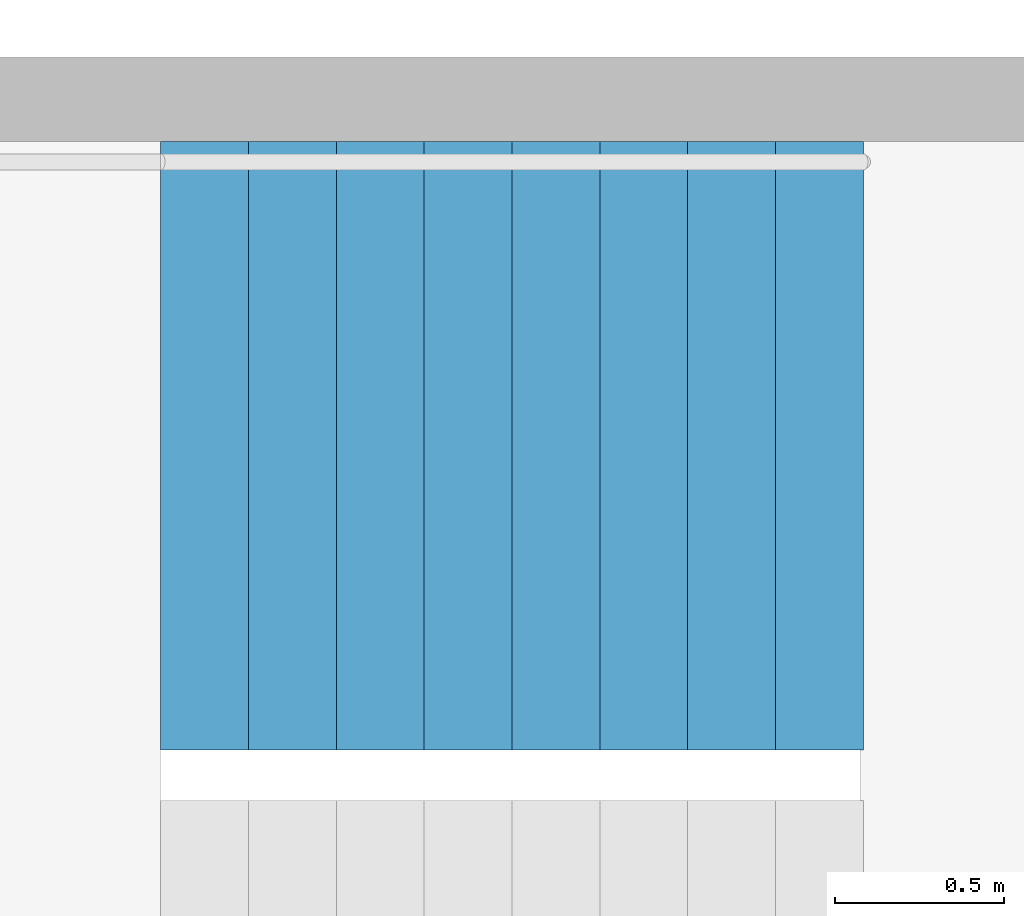
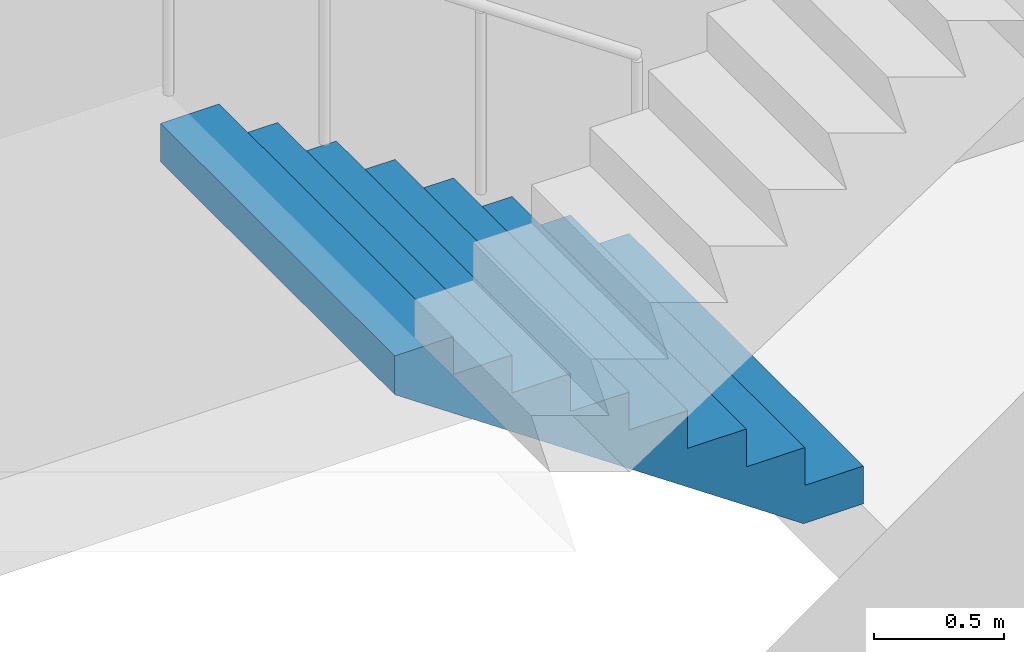
# One storey, part 19 of 26: 1 stair flight, 1 element without a shape of its own.
"""IFC4 building model written with IfcOpenShell, lengths in metres."""

import ifcopenshell
import ifcopenshell.guid

model = None  # the IFC model being written
_history = None  # IfcOwnerHistory: only IFC2X3 demands one
_inside = {}  # id of a spatial element -> (the spatial element, [elements in it])
_under = {}  # id of a project, library or spatial element -> (it, [spatial elements below it])
_declared = {}  # id of a project -> (the project, [libraries it declares])
_typed = {}  # id of a type object -> (the type object, [elements of that type])
_made_of = {}  # id of a material, layer set ... -> (it, [elements and type objects made of it])


def new_model(schema):
    """Start an empty IFC model of exactly this schema.

    Asked for "IFC4X3", IfcOpenShell would pick the latest addendum, in which some entities
    have other attributes; the version numbers below select the first issue.
    IFC2X3 requires an IfcOwnerHistory on every rooted entity: one is made here for all.
    """
    global model, _history
    if schema == "IFC4X3":
        model = ifcopenshell.file(schema_version=(4, 3, 0, 0))
    else:
        model = ifcopenshell.file(schema=schema)
    _inside.clear()
    _under.clear()
    _declared.clear()
    _typed.clear()
    _made_of.clear()
    _history = None
    if model.schema == "IFC2X3":
        org = make("IfcOrganization", Name="unknown")
        user = make(
            "IfcPersonAndOrganization",
            ThePerson=make("IfcPerson", FamilyName="unknown"),
            TheOrganization=org,
        )
        app = make(
            "IfcApplication",
            ApplicationDeveloper=org,
            Version="unknown",
            ApplicationFullName="unknown",
            ApplicationIdentifier="unknown",
        )
        _history = make(
            "IfcOwnerHistory",
            OwningUser=user,
            OwningApplication=app,
            ChangeAction="ADDED",
            CreationDate=0,
        )
    return model


def make(cls, **values):
    """One entity of the class cls with the attributes given. An attribute that is None is left unset."""
    return model.create_entity(
        cls, **{name: value for name, value in values.items() if value is not None}
    )


def rooted(cls, **values):
    """An entity with a GlobalId (a new one), such as an element, a storey or a relation."""
    return make(cls, GlobalId=ifcopenshell.guid.new(), OwnerHistory=_history, **values)


def si_unit(unit_type, name, prefix=None):
    """IfcSIUnit, for example si_unit("LENGTHUNIT", "METRE", prefix="MILLI")."""
    return make("IfcSIUnit", UnitType=unit_type, Prefix=prefix, Name=name)


def assignment(units):
    """IfcUnitAssignment: the units of a project."""
    return None if units is None else make("IfcUnitAssignment", Units=units)


def point(xyz):
    """IfcCartesianPoint."""
    return None if xyz is None else make("IfcCartesianPoint", Coordinates=xyz)


def direction(xyz):
    """IfcDirection."""
    return None if xyz is None else make("IfcDirection", DirectionRatios=xyz)


def frame(location, z_axis=None, x_axis=None):
    """IfcAxis2Placement3D, a coordinate frame: its origin and axes. An axis left out is left unset."""
    return make(
        "IfcAxis2Placement3D",
        Location=point(location),
        Axis=direction(z_axis),
        RefDirection=direction(x_axis),
    )


def origin():
    """The frame at (0, 0, 0) with its axes left unset."""
    return frame((0.0, 0.0, 0.0))


def place(relative_to, where):
    """IfcLocalPlacement: puts the frame where relative to a parent placement (None: the world)."""
    return make(
        "IfcLocalPlacement", PlacementRelTo=relative_to, RelativePlacement=where
    )


def context(
    kind, dimensions, precision=None, world=None, true_north=None, identifier=None
):
    """IfcGeometricRepresentationContext, for example the 3D "Model" context."""
    return make(
        "IfcGeometricRepresentationContext",
        ContextIdentifier=identifier,
        ContextType=kind,
        CoordinateSpaceDimension=dimensions,
        Precision=precision,
        WorldCoordinateSystem=world,
        TrueNorth=true_north,
    )


def subcontext(parent, identifier, kind, view, scale=None):
    """IfcGeometricRepresentationSubContext, for example "Body" below "Model"."""
    return make(
        "IfcGeometricRepresentationSubContext",
        ContextIdentifier=identifier,
        ContextType=kind,
        ParentContext=parent,
        TargetScale=scale,
        TargetView=view,
    )


def project(units=None, contexts=None):
    """IfcProject with its units and contexts."""
    return rooted(
        "IfcProject",
        Name="project",
        RepresentationContexts=contexts,
        UnitsInContext=assignment(units),
    )


def spatial(cls, under=None, at=None, **own):
    """A site, building, storey or space (cls), placed at a placement, below another one or the project."""
    s = rooted(cls, ObjectPlacement=at, **own)
    if under is not None:
        _under.setdefault(under.id(), (under, []))[1].append(s)
    return s


def point_list(points):
    """IfcCartesianPointList2D or 3D."""
    cls = (
        "IfcCartesianPointList2D" if len(points[0]) == 2 else "IfcCartesianPointList3D"
    )
    return make(cls, CoordList=points)


def triangles(points, corners, closed=None, point_numbers=None):
    """IfcTriangulatedFaceSet: each triangle names its three corners, points numbered from 1."""
    return make(
        "IfcTriangulatedFaceSet",
        Coordinates=point_list(points),
        Closed=closed,
        CoordIndex=corners,
        PnIndex=point_numbers,
    )


def shape(context_of_items, identifier, shape_type, items):
    """IfcShapeRepresentation: the items that make up one representation, for example the "Body"."""
    return make(
        "IfcShapeRepresentation",
        ContextOfItems=context_of_items,
        RepresentationIdentifier=identifier,
        RepresentationType=shape_type,
        Items=items,
    )


def material(Name=None, Category=None):
    """IfcMaterial."""
    return make("IfcMaterial", Name=Name, Category=Category)


def made_of(thing, what):
    """Note that an element or type object is made of a material, layer set ...; save() writes the relation."""
    if what is not None:
        _made_of.setdefault(what.id(), (what, []))[1].append(thing)
    return thing


def type_object(cls, material=None, **own):
    """A type object (cls), such as IfcWallType, which elements share."""
    return made_of(rooted(cls, **own), material)


def element(
    cls,
    number,
    at=None,
    inside=None,
    cuts=None,
    type_object=None,
    material=None,
    context=None,
    identifier="Body",
    shape_type=None,
    held_by="IfcProductDefinitionShape",
    body=None,
    shapes=None,
    **own,
):
    """One element of the class cls, such as IfcWall. Its Tag is "e" and its number.

    at: its placement. inside: the storey or other place that contains it. cuts: it is an
    opening in that element (IfcRelVoidsElement). A single representation is given by context,
    identifier, shape_type and body (its items); several are given by shapes. held_by: the class
    of the entity that holds the representations. save() writes the other relations.
    """
    e = rooted(cls, Tag="e%d" % number, ObjectPlacement=at, **own)
    if body is not None:
        shapes = [shape(context, identifier, shape_type, body)]
    if shapes is not None:
        e.Representation = make(held_by, Representations=shapes)
    if inside is not None:
        _inside.setdefault(inside.id(), (inside, []))[1].append(e)
    if cuts is not None:
        rooted(
            "IfcRelVoidsElement", RelatingBuildingElement=cuts, RelatedOpeningElement=e
        )
    if type_object is not None:
        _typed.setdefault(type_object.id(), (type_object, []))[1].append(e)
    return made_of(e, material)


def aggregate(whole, parts):
    """IfcRelAggregates: a whole, such as a stair, and the parts it consists of."""
    return rooted("IfcRelAggregates", RelatingObject=whole, RelatedObjects=parts)


def save(model, path):
    """Write the relations noted so far, then the file.

    IfcRelAggregates (storeys below a building ...), IfcRelContainedInSpatialStructure (elements
    in a storey), IfcRelDefinesByType, IfcRelAssociatesMaterial and IfcRelDeclares: one each for
    every whole, place, type object, material and project.
    """
    for whole, parts in _under.values():
        aggregate(whole, parts)
    for where, things in _inside.values():
        rooted(
            "IfcRelContainedInSpatialStructure",
            RelatedElements=things,
            RelatingStructure=where,
        )
    for kind, things in _typed.values():
        rooted("IfcRelDefinesByType", RelatedObjects=things, RelatingType=kind)
    for what, things in _made_of.values():
        rooted("IfcRelAssociatesMaterial", RelatedObjects=things, RelatingMaterial=what)
    for by, libraries in _declared.values():
        rooted("IfcRelDeclares", RelatingContext=by, RelatedDefinitions=libraries)
    model.write(path)


model = new_model("IFC4")

# Units and contexts
model_context = context("Model", 3, precision=1e-05, world=origin(), true_north=direction((0.0, 1.0)))
body_context = subcontext(model_context, "Body", "Model", "MODEL_VIEW")
ifc_project = project(units=[si_unit("LENGTHUNIT", "METRE"), si_unit("AREAUNIT", "SQUARE_METRE"), si_unit("VOLUMEUNIT", "CUBIC_METRE"), si_unit("PLANEANGLEUNIT", "RADIAN"), si_unit("MASSUNIT", "GRAM", prefix="KILO")], contexts=[model_context])

# Site, building, storey
site_placement = place(None, origin())
site = spatial("IfcSite", under=ifc_project, at=site_placement, CompositionType="ELEMENT")
building_placement = place(site_placement, origin())
building = spatial("IfcBuilding", under=site, at=building_placement, Name="Hakoniwa Tower and Hamabe Station Hall", CompositionType="ELEMENT")
storey_placement = place(building_placement, frame((0.0, 0.0, 169.39990234375)))
storey = spatial("IfcBuildingStorey", under=building, at=storey_placement, Name="L48", CompositionType="ELEMENT", Elevation=169.39990234375)

# Stair, stair flight
ifc_material_1 = material(Name="Concrete C40", Category="concrete")
stair_type = type_object("IfcStairType", Name="ESCAPE STAIR 1800", PredefinedType="HALF_TURN_STAIR", material=ifc_material_1)
stair_placement = place(storey_placement, origin())
stair = element("IfcStair", 1, at=stair_placement, inside=storey, type_object=stair_type, Name="Escape stair ST-2 L48", PredefinedType="HALF_TURN_STAIR")
ifc_material_2 = material(Name="Concrete C40", Category="concrete")
stair_flight_type = type_object("IfcStairFlightType", Name="STAIR FLIGHT 1800", PredefinedType="STRAIGHT", material=ifc_material_2)
stair_flight_placement = place(storey_placement, frame((-23.39990234375, -4.64990234375, 0.0), z_axis=(0.0, 0.0, 1.0), x_axis=(-1.0, 0.0, 0.0)))
stair_flight = element("IfcStairFlight", 2, at=stair_flight_placement, type_object=stair_flight_type, Name="ST-2 flight 1", NumberOfRisers=9, NumberOfTreads=8, PredefinedType="STRAIGHT", RiserHeight=0.177777778, TreadLength=0.26, context=body_context, shape_type="Tessellation", body=[
    triangles([(0.0, 0.89990234375, 0.0), (0.260009765625, 0.89990234375, 0.0), (0.265625, 0.89990234375, 0.0), (0.52001953125, 0.89990234375, 0.174072265625), (0.780029296875, 0.89990234375, 0.351806640625), (1.0400390625, 0.89990234375, 0.529541015625), (1.300048828125, 0.89990234375, 0.707275390625), (1.56005859375, 0.89990234375, 0.885009765625), (1.820068359375, 0.89990234375, 1.062744140625), (2.080078125, 0.89990234375, 1.24072265625), (2.080078125, 0.89990234375, 1.422119140625), (1.820068359375, 0.89990234375, 1.422119140625), (1.820068359375, 0.89990234375, 1.244384765625), (1.56005859375, 0.89990234375, 1.244384765625), (1.56005859375, 0.89990234375, 1.066650390625), (1.300048828125, 0.89990234375, 1.066650390625), (1.300048828125, 0.89990234375, 0.888916015625), (1.0400390625, 0.89990234375, 0.888916015625), (1.0400390625, 0.89990234375, 0.711181640625), (0.780029296875, 0.89990234375, 0.711181640625), (0.780029296875, 0.89990234375, 0.533447265625), (0.52001953125, 0.89990234375, 0.533447265625), (0.52001953125, 0.89990234375, 0.35546875), (0.265625, 0.89990234375, 0.35546875), (0.260009765625, 0.89990234375, 0.35546875), (0.260009765625, 0.89990234375, 0.177734375), (0.0, 0.89990234375, 0.177734375), (0.0, 0.06005859375, 0.0), (0.260009765625, 0.06005859375, 0.0), (0.265625, 0.06005859375, 0.0), (0.52001953125, 0.06005859375, 0.174072265625), (0.780029296875, 0.06005859375, 0.351806640625), (1.0400390625, 0.06005859375, 0.529541015625), (1.300048828125, 0.06005859375, 0.707275390625), (1.56005859375, 0.06005859375, 0.885009765625), (1.820068359375, 0.06005859375, 1.062744140625), (2.080078125, 0.06005859375, 1.24072265625), (2.080078125, 0.06005859375, 1.422119140625), (1.820068359375, 0.06005859375, 1.422119140625), (1.820068359375, 0.06005859375, 1.244384765625), (1.56005859375, 0.06005859375, 1.244384765625), (1.56005859375, 0.06005859375, 1.066650390625), (1.300048828125, 0.06005859375, 1.066650390625), (1.300048828125, 0.06005859375, 0.888916015625), (1.0400390625, 0.06005859375, 0.888916015625), (1.0400390625, 0.06005859375, 0.711181640625), (0.780029296875, 0.06005859375, 0.711181640625), (0.780029296875, 0.06005859375, 0.533447265625), (0.52001953125, 0.06005859375, 0.533447265625), (0.52001953125, 0.06005859375, 0.35546875), (0.265625, 0.06005859375, 0.35546875), (0.260009765625, 0.06005859375, 0.35546875), (0.260009765625, 0.06005859375, 0.177734375), (0.0, 0.06005859375, 0.177734375), (0.0, 0.04296875, 0.0), (0.260009765625, 0.04296875, 0.0), (0.265625, 0.04296875, 0.0), (0.52001953125, 0.04296875, 0.174072265625), (0.780029296875, 0.04296875, 0.351806640625), (1.0400390625, 0.04296875, 0.529541015625), (1.300048828125, 0.04296875, 0.707275390625), (1.56005859375, 0.04296875, 0.885009765625), (1.820068359375, 0.04296875, 1.062744140625), (2.080078125, 0.04296875, 1.24072265625), (2.080078125, 0.04296875, 1.422119140625), (1.820068359375, 0.04296875, 1.422119140625), (1.820068359375, 0.04296875, 1.244384765625), (1.56005859375, 0.04296875, 1.244384765625), (1.56005859375, 0.04296875, 1.066650390625), (1.300048828125, 0.04296875, 1.066650390625), (1.300048828125, 0.04296875, 0.888916015625), (1.0400390625, 0.04296875, 0.888916015625), (1.0400390625, 0.04296875, 0.711181640625), (0.780029296875, 0.04296875, 0.711181640625), (0.780029296875, 0.04296875, 0.533447265625), (0.52001953125, 0.04296875, 0.533447265625), (0.52001953125, 0.04296875, 0.35546875), (0.265625, 0.04296875, 0.35546875), (0.260009765625, 0.04296875, 0.35546875), (0.260009765625, 0.04296875, 0.177734375), (0.0, 0.04296875, 0.177734375), (0.0, 0.025634765625, 0.0), (0.260009765625, 0.025634765625, 0.0), (0.265625, 0.025634765625, 0.0), (0.52001953125, 0.025634765625, 0.174072265625), (0.780029296875, 0.025634765625, 0.351806640625), (1.0400390625, 0.025634765625, 0.529541015625), (1.300048828125, 0.025634765625, 0.707275390625), (1.56005859375, 0.025634765625, 0.885009765625), (1.820068359375, 0.025634765625, 1.062744140625), (2.080078125, 0.025634765625, 1.24072265625), (2.080078125, 0.025634765625, 1.422119140625), (1.820068359375, 0.025634765625, 1.422119140625), (1.820068359375, 0.025634765625, 1.244384765625), (1.56005859375, 0.025634765625, 1.244384765625), (1.56005859375, 0.025634765625, 1.066650390625), (1.300048828125, 0.025634765625, 1.066650390625), (1.300048828125, 0.025634765625, 0.888916015625), (1.0400390625, 0.025634765625, 0.888916015625), (1.0400390625, 0.025634765625, 0.711181640625), (0.780029296875, 0.025634765625, 0.711181640625), (0.780029296875, 0.025634765625, 0.533447265625), (0.52001953125, 0.025634765625, 0.533447265625), (0.52001953125, 0.025634765625, 0.35546875), (0.265625, 0.025634765625, 0.35546875), (0.260009765625, 0.025634765625, 0.35546875), (0.260009765625, 0.025634765625, 0.177734375), (0.0, 0.025634765625, 0.177734375), (0.0, 0.008544921875, 0.0), (0.260009765625, 0.008544921875, 0.0), (0.265625, 0.008544921875, 0.0), (0.52001953125, 0.008544921875, 0.174072265625), (0.780029296875, 0.008544921875, 0.351806640625), (1.0400390625, 0.008544921875, 0.529541015625), (1.300048828125, 0.008544921875, 0.707275390625), (1.56005859375, 0.008544921875, 0.885009765625), (1.820068359375, 0.008544921875, 1.062744140625), (2.080078125, 0.008544921875, 1.24072265625), (2.080078125, 0.008544921875, 1.422119140625), (1.820068359375, 0.008544921875, 1.422119140625), (1.820068359375, 0.008544921875, 1.244384765625), (1.56005859375, 0.008544921875, 1.244384765625), (1.56005859375, 0.008544921875, 1.066650390625), (1.300048828125, 0.008544921875, 1.066650390625), (1.300048828125, 0.008544921875, 0.888916015625), (1.0400390625, 0.008544921875, 0.888916015625), (1.0400390625, 0.008544921875, 0.711181640625), (0.780029296875, 0.008544921875, 0.711181640625), (0.780029296875, 0.008544921875, 0.533447265625), (0.52001953125, 0.008544921875, 0.533447265625), (0.52001953125, 0.008544921875, 0.35546875), (0.265625, 0.008544921875, 0.35546875), (0.260009765625, 0.008544921875, 0.35546875), (0.260009765625, 0.008544921875, 0.177734375), (0.0, 0.008544921875, 0.177734375), (0.0, -0.008544921875, 0.0), (0.260009765625, -0.008544921875, 0.0), (0.265625, -0.008544921875, 0.0), (0.52001953125, -0.008544921875, 0.174072265625), (0.780029296875, -0.008544921875, 0.351806640625), (1.0400390625, -0.008544921875, 0.529541015625), (1.300048828125, -0.008544921875, 0.707275390625), (1.56005859375, -0.008544921875, 0.885009765625), (1.820068359375, -0.008544921875, 1.062744140625), (2.080078125, -0.008544921875, 1.24072265625), (2.080078125, -0.008544921875, 1.422119140625), (1.820068359375, -0.008544921875, 1.422119140625), (1.820068359375, -0.008544921875, 1.244384765625), (1.56005859375, -0.008544921875, 1.244384765625), (1.56005859375, -0.008544921875, 1.066650390625), (1.300048828125, -0.008544921875, 1.066650390625), (1.300048828125, -0.008544921875, 0.888916015625), (1.0400390625, -0.008544921875, 0.888916015625), (1.0400390625, -0.008544921875, 0.711181640625), (0.780029296875, -0.008544921875, 0.711181640625), (0.780029296875, -0.008544921875, 0.533447265625), (0.52001953125, -0.008544921875, 0.533447265625), (0.52001953125, -0.008544921875, 0.35546875), (0.265625, -0.008544921875, 0.35546875), (0.260009765625, -0.008544921875, 0.35546875), (0.260009765625, -0.008544921875, 0.177734375), (0.0, -0.008544921875, 0.177734375), (0.0, -0.025634765625, 0.0), (0.260009765625, -0.025634765625, 0.0), (0.265625, -0.025634765625, 0.0), (0.52001953125, -0.025634765625, 0.174072265625), (0.780029296875, -0.025634765625, 0.351806640625), (1.0400390625, -0.025634765625, 0.529541015625), (1.300048828125, -0.025634765625, 0.707275390625), (1.56005859375, -0.025634765625, 0.885009765625), (1.820068359375, -0.025634765625, 1.062744140625), (2.080078125, -0.025634765625, 1.24072265625), (2.080078125, -0.025634765625, 1.422119140625), (1.820068359375, -0.025634765625, 1.422119140625), (1.820068359375, -0.025634765625, 1.244384765625), (1.56005859375, -0.025634765625, 1.244384765625), (1.56005859375, -0.025634765625, 1.066650390625), (1.300048828125, -0.025634765625, 1.066650390625), (1.300048828125, -0.025634765625, 0.888916015625), (1.0400390625, -0.025634765625, 0.888916015625), (1.0400390625, -0.025634765625, 0.711181640625), (0.780029296875, -0.025634765625, 0.711181640625), (0.780029296875, -0.025634765625, 0.533447265625), (0.52001953125, -0.025634765625, 0.533447265625), (0.52001953125, -0.025634765625, 0.35546875), (0.265625, -0.025634765625, 0.35546875), (0.260009765625, -0.025634765625, 0.35546875), (0.260009765625, -0.025634765625, 0.177734375), (0.0, -0.025634765625, 0.177734375), (0.0, -0.04296875, 0.0), (0.260009765625, -0.04296875, 0.0), (0.265625, -0.04296875, 0.0), (0.52001953125, -0.04296875, 0.174072265625), (0.780029296875, -0.04296875, 0.351806640625), (1.0400390625, -0.04296875, 0.529541015625), (1.300048828125, -0.04296875, 0.707275390625), (1.56005859375, -0.04296875, 0.885009765625), (1.820068359375, -0.04296875, 1.062744140625), (2.080078125, -0.04296875, 1.24072265625), (2.080078125, -0.04296875, 1.422119140625), (1.820068359375, -0.04296875, 1.422119140625), (1.820068359375, -0.04296875, 1.244384765625), (1.56005859375, -0.04296875, 1.244384765625), (1.56005859375, -0.04296875, 1.066650390625), (1.300048828125, -0.04296875, 1.066650390625), (1.300048828125, -0.04296875, 0.888916015625), (1.0400390625, -0.04296875, 0.888916015625), (1.0400390625, -0.04296875, 0.711181640625), (0.780029296875, -0.04296875, 0.711181640625), (0.780029296875, -0.04296875, 0.533447265625), (0.52001953125, -0.04296875, 0.533447265625), (0.52001953125, -0.04296875, 0.35546875), (0.265625, -0.04296875, 0.35546875), (0.260009765625, -0.04296875, 0.35546875), (0.260009765625, -0.04296875, 0.177734375), (0.0, -0.04296875, 0.177734375), (0.0, -0.06005859375, 0.0), (0.260009765625, -0.06005859375, 0.0), (0.265625, -0.06005859375, 0.0), (0.52001953125, -0.06005859375, 0.174072265625), (0.780029296875, -0.06005859375, 0.351806640625), (1.0400390625, -0.06005859375, 0.529541015625), (1.300048828125, -0.06005859375, 0.707275390625), (1.56005859375, -0.06005859375, 0.885009765625), (1.820068359375, -0.06005859375, 1.062744140625), (2.080078125, -0.06005859375, 1.24072265625), (2.080078125, -0.06005859375, 1.422119140625), (1.820068359375, -0.06005859375, 1.422119140625), (1.820068359375, -0.06005859375, 1.244384765625), (1.56005859375, -0.06005859375, 1.244384765625), (1.56005859375, -0.06005859375, 1.066650390625), (1.300048828125, -0.06005859375, 1.066650390625), (1.300048828125, -0.06005859375, 0.888916015625), (1.0400390625, -0.06005859375, 0.888916015625), (1.0400390625, -0.06005859375, 0.711181640625), (0.780029296875, -0.06005859375, 0.711181640625), (0.780029296875, -0.06005859375, 0.533447265625), (0.52001953125, -0.06005859375, 0.533447265625), (0.52001953125, -0.06005859375, 0.35546875), (0.265625, -0.06005859375, 0.35546875), (0.260009765625, -0.06005859375, 0.35546875), (0.260009765625, -0.06005859375, 0.177734375), (0.0, -0.06005859375, 0.177734375), (0.0, -0.89990234375, 0.0), (0.260009765625, -0.89990234375, 0.0), (0.265625, -0.89990234375, 0.0), (0.52001953125, -0.89990234375, 0.174072265625), (0.780029296875, -0.89990234375, 0.351806640625), (1.0400390625, -0.89990234375, 0.529541015625), (1.300048828125, -0.89990234375, 0.707275390625), (1.56005859375, -0.89990234375, 0.885009765625), (1.820068359375, -0.89990234375, 1.062744140625), (2.080078125, -0.89990234375, 1.24072265625), (2.080078125, -0.89990234375, 1.422119140625), (1.820068359375, -0.89990234375, 1.422119140625), (1.820068359375, -0.89990234375, 1.244384765625), (1.56005859375, -0.89990234375, 1.244384765625), (1.56005859375, -0.89990234375, 1.066650390625), (1.300048828125, -0.89990234375, 1.066650390625), (1.300048828125, -0.89990234375, 0.888916015625), (1.0400390625, -0.89990234375, 0.888916015625), (1.0400390625, -0.89990234375, 0.711181640625), (0.780029296875, -0.89990234375, 0.711181640625), (0.780029296875, -0.89990234375, 0.533447265625), (0.52001953125, -0.89990234375, 0.533447265625), (0.52001953125, -0.89990234375, 0.35546875), (0.265625, -0.89990234375, 0.35546875), (0.260009765625, -0.89990234375, 0.35546875), (0.260009765625, -0.89990234375, 0.177734375), (0.0, -0.89990234375, 0.177734375)], [[2, 27, 26], [245, 269, 270], [2, 1, 27], [245, 270, 244], [3, 25, 24], [246, 267, 268], [3, 26, 25], [246, 268, 269], [3, 2, 26], [246, 269, 245], [4, 24, 23], [247, 266, 267], [4, 3, 24], [247, 267, 246], [5, 22, 21], [248, 264, 265], [5, 23, 22], [248, 265, 266], [5, 4, 23], [248, 266, 247], [6, 20, 19], [249, 262, 263], [6, 21, 20], [249, 263, 264], [6, 5, 21], [249, 264, 248], [7, 18, 17], [250, 260, 261], [7, 19, 18], [250, 261, 262], [7, 6, 19], [250, 262, 249], [8, 16, 15], [251, 258, 259], [8, 17, 16], [251, 259, 260], [8, 7, 17], [251, 260, 250], [9, 14, 13], [252, 256, 257], [9, 15, 14], [252, 257, 258], [9, 8, 15], [252, 258, 251], [10, 12, 11], [253, 254, 255], [10, 13, 12], [253, 255, 256], [10, 9, 13], [253, 256, 252], [1, 2, 29], [1, 29, 28], [28, 29, 56], [28, 56, 55], [55, 56, 83], [55, 83, 82], [82, 83, 110], [82, 110, 109], [109, 110, 137], [109, 137, 136], [136, 137, 164], [136, 164, 163], [163, 164, 191], [163, 191, 190], [190, 191, 218], [190, 218, 217], [217, 218, 245], [217, 245, 244], [2, 3, 30], [2, 30, 29], [29, 30, 57], [29, 57, 56], [56, 57, 84], [56, 84, 83], [83, 84, 111], [83, 111, 110], [110, 111, 138], [110, 138, 137], [137, 138, 165], [137, 165, 164], [164, 165, 192], [164, 192, 191], [191, 192, 219], [191, 219, 218], [218, 219, 246], [218, 246, 245], [3, 4, 31], [3, 31, 30], [30, 31, 58], [30, 58, 57], [57, 58, 85], [57, 85, 84], [84, 85, 112], [84, 112, 111], [111, 112, 139], [111, 139, 138], [138, 139, 166], [138, 166, 165], [165, 166, 193], [165, 193, 192], [192, 193, 220], [192, 220, 219], [219, 220, 247], [219, 247, 246], [4, 5, 32], [4, 32, 31], [31, 32, 59], [31, 59, 58], [58, 59, 86], [58, 86, 85], [85, 86, 113], [85, 113, 112], [112, 113, 140], [112, 140, 139], [139, 140, 167], [139, 167, 166], [166, 167, 194], [166, 194, 193], [193, 194, 221], [193, 221, 220], [220, 221, 248], [220, 248, 247], [5, 6, 33], [5, 33, 32], [32, 33, 60], [32, 60, 59], [59, 60, 87], [59, 87, 86], [86, 87, 114], [86, 114, 113], [113, 114, 141], [113, 141, 140], [140, 141, 168], [140, 168, 167], [167, 168, 195], [167, 195, 194], [194, 195, 222], [194, 222, 221], [221, 222, 249], [221, 249, 248], [6, 7, 34], [6, 34, 33], [33, 34, 61], [33, 61, 60], [60, 61, 88], [60, 88, 87], [87, 88, 115], [87, 115, 114], [114, 115, 142], [114, 142, 141], [141, 142, 169], [141, 169, 168], [168, 169, 196], [168, 196, 195], [195, 196, 223], [195, 223, 222], [222, 223, 250], [222, 250, 249], [7, 8, 35], [7, 35, 34], [34, 35, 62], [34, 62, 61], [61, 62, 89], [61, 89, 88], [88, 89, 116], [88, 116, 115], [115, 116, 143], [115, 143, 142], [142, 143, 170], [142, 170, 169], [169, 170, 197], [169, 197, 196], [196, 197, 224], [196, 224, 223], [223, 224, 251], [223, 251, 250], [8, 9, 36], [8, 36, 35], [35, 36, 63], [35, 63, 62], [62, 63, 90], [62, 90, 89], [89, 90, 117], [89, 117, 116], [116, 117, 144], [116, 144, 143], [143, 144, 171], [143, 171, 170], [170, 171, 198], [170, 198, 197], [197, 198, 225], [197, 225, 224], [224, 225, 252], [224, 252, 251], [9, 10, 37], [9, 37, 36], [36, 37, 64], [36, 64, 63], [63, 64, 91], [63, 91, 90], [90, 91, 118], [90, 118, 117], [117, 118, 145], [117, 145, 144], [144, 145, 172], [144, 172, 171], [171, 172, 199], [171, 199, 198], [198, 199, 226], [198, 226, 225], [225, 226, 253], [225, 253, 252], [10, 11, 38], [10, 38, 37], [37, 38, 65], [37, 65, 64], [64, 65, 92], [64, 92, 91], [91, 92, 119], [91, 119, 118], [118, 119, 146], [118, 146, 145], [145, 146, 173], [145, 173, 172], [172, 173, 200], [172, 200, 199], [199, 200, 227], [199, 227, 226], [226, 227, 254], [226, 254, 253], [11, 12, 39], [11, 39, 38], [38, 39, 66], [38, 66, 65], [65, 66, 93], [65, 93, 92], [92, 93, 120], [92, 120, 119], [119, 120, 147], [119, 147, 146], [146, 147, 174], [146, 174, 173], [173, 174, 201], [173, 201, 200], [200, 201, 228], [200, 228, 227], [227, 228, 255], [227, 255, 254], [12, 13, 40], [12, 40, 39], [39, 40, 67], [39, 67, 66], [66, 67, 94], [66, 94, 93], [93, 94, 121], [93, 121, 120], [120, 121, 148], [120, 148, 147], [147, 148, 175], [147, 175, 174], [174, 175, 202], [174, 202, 201], [201, 202, 229], [201, 229, 228], [228, 229, 256], [228, 256, 255], [13, 14, 41], [13, 41, 40], [40, 41, 68], [40, 68, 67], [67, 68, 95], [67, 95, 94], [94, 95, 122], [94, 122, 121], [121, 122, 149], [121, 149, 148], [148, 149, 176], [148, 176, 175], [175, 176, 203], [175, 203, 202], [202, 203, 230], [202, 230, 229], [229, 230, 257], [229, 257, 256], [14, 15, 42], [14, 42, 41], [41, 42, 69], [41, 69, 68], [68, 69, 96], [68, 96, 95], [95, 96, 123], [95, 123, 122], [122, 123, 150], [122, 150, 149], [149, 150, 177], [149, 177, 176], [176, 177, 204], [176, 204, 203], [203, 204, 231], [203, 231, 230], [230, 231, 258], [230, 258, 257], [15, 16, 43], [15, 43, 42], [42, 43, 70], [42, 70, 69], [69, 70, 97], [69, 97, 96], [96, 97, 124], [96, 124, 123], [123, 124, 151], [123, 151, 150], [150, 151, 178], [150, 178, 177], [177, 178, 205], [177, 205, 204], [204, 205, 232], [204, 232, 231], [231, 232, 259], [231, 259, 258], [16, 17, 44], [16, 44, 43], [43, 44, 71], [43, 71, 70], [70, 71, 98], [70, 98, 97], [97, 98, 125], [97, 125, 124], [124, 125, 152], [124, 152, 151], [151, 152, 179], [151, 179, 178], [178, 179, 206], [178, 206, 205], [205, 206, 233], [205, 233, 232], [232, 233, 260], [232, 260, 259], [17, 18, 45], [17, 45, 44], [44, 45, 72], [44, 72, 71], [71, 72, 99], [71, 99, 98], [98, 99, 126], [98, 126, 125], [125, 126, 153], [125, 153, 152], [152, 153, 180], [152, 180, 179], [179, 180, 207], [179, 207, 206], [206, 207, 234], [206, 234, 233], [233, 234, 261], [233, 261, 260], [18, 19, 46], [18, 46, 45], [45, 46, 73], [45, 73, 72], [72, 73, 100], [72, 100, 99], [99, 100, 127], [99, 127, 126], [126, 127, 154], [126, 154, 153], [153, 154, 181], [153, 181, 180], [180, 181, 208], [180, 208, 207], [207, 208, 235], [207, 235, 234], [234, 235, 262], [234, 262, 261], [19, 20, 47], [19, 47, 46], [46, 47, 74], [46, 74, 73], [73, 74, 101], [73, 101, 100], [100, 101, 128], [100, 128, 127], [127, 128, 155], [127, 155, 154], [154, 155, 182], [154, 182, 181], [181, 182, 209], [181, 209, 208], [208, 209, 236], [208, 236, 235], [235, 236, 263], [235, 263, 262], [20, 21, 48], [20, 48, 47], [47, 48, 75], [47, 75, 74], [74, 75, 102], [74, 102, 101], [101, 102, 129], [101, 129, 128], [128, 129, 156], [128, 156, 155], [155, 156, 183], [155, 183, 182], [182, 183, 210], [182, 210, 209], [209, 210, 237], [209, 237, 236], [236, 237, 264], [236, 264, 263], [21, 22, 49], [21, 49, 48], [48, 49, 76], [48, 76, 75], [75, 76, 103], [75, 103, 102], [102, 103, 130], [102, 130, 129], [129, 130, 157], [129, 157, 156], [156, 157, 184], [156, 184, 183], [183, 184, 211], [183, 211, 210], [210, 211, 238], [210, 238, 237], [237, 238, 265], [237, 265, 264], [22, 23, 50], [22, 50, 49], [49, 50, 77], [49, 77, 76], [76, 77, 104], [76, 104, 103], [103, 104, 131], [103, 131, 130], [130, 131, 158], [130, 158, 157], [157, 158, 185], [157, 185, 184], [184, 185, 212], [184, 212, 211], [211, 212, 239], [211, 239, 238], [238, 239, 266], [238, 266, 265], [23, 24, 51], [23, 51, 50], [50, 51, 78], [50, 78, 77], [77, 78, 105], [77, 105, 104], [104, 105, 132], [104, 132, 131], [131, 132, 159], [131, 159, 158], [158, 159, 186], [158, 186, 185], [185, 186, 213], [185, 213, 212], [212, 213, 240], [212, 240, 239], [239, 240, 267], [239, 267, 266], [24, 25, 52], [24, 52, 51], [51, 52, 79], [51, 79, 78], [78, 79, 106], [78, 106, 105], [105, 106, 133], [105, 133, 132], [132, 133, 160], [132, 160, 159], [159, 160, 187], [159, 187, 186], [186, 187, 214], [186, 214, 213], [213, 214, 241], [213, 241, 240], [240, 241, 268], [240, 268, 267], [25, 26, 53], [25, 53, 52], [52, 53, 80], [52, 80, 79], [79, 80, 107], [79, 107, 106], [106, 107, 134], [106, 134, 133], [133, 134, 161], [133, 161, 160], [160, 161, 188], [160, 188, 187], [187, 188, 215], [187, 215, 214], [214, 215, 242], [214, 242, 241], [241, 242, 269], [241, 269, 268], [26, 27, 54], [26, 54, 53], [53, 54, 81], [53, 81, 80], [80, 81, 108], [80, 108, 107], [107, 108, 135], [107, 135, 134], [134, 135, 162], [134, 162, 161], [161, 162, 189], [161, 189, 188], [188, 189, 216], [188, 216, 215], [215, 216, 243], [215, 243, 242], [242, 243, 270], [242, 270, 269], [27, 1, 28], [27, 28, 54], [54, 28, 55], [54, 55, 81], [81, 55, 82], [81, 82, 108], [108, 82, 109], [108, 109, 135], [135, 109, 136], [135, 136, 162], [162, 136, 163], [162, 163, 189], [189, 163, 190], [189, 190, 216], [216, 190, 217], [216, 217, 243], [243, 217, 244], [243, 244, 270]], closed=True),
])
aggregate(stair, [stair_flight])

save(model, "model.ifc")
